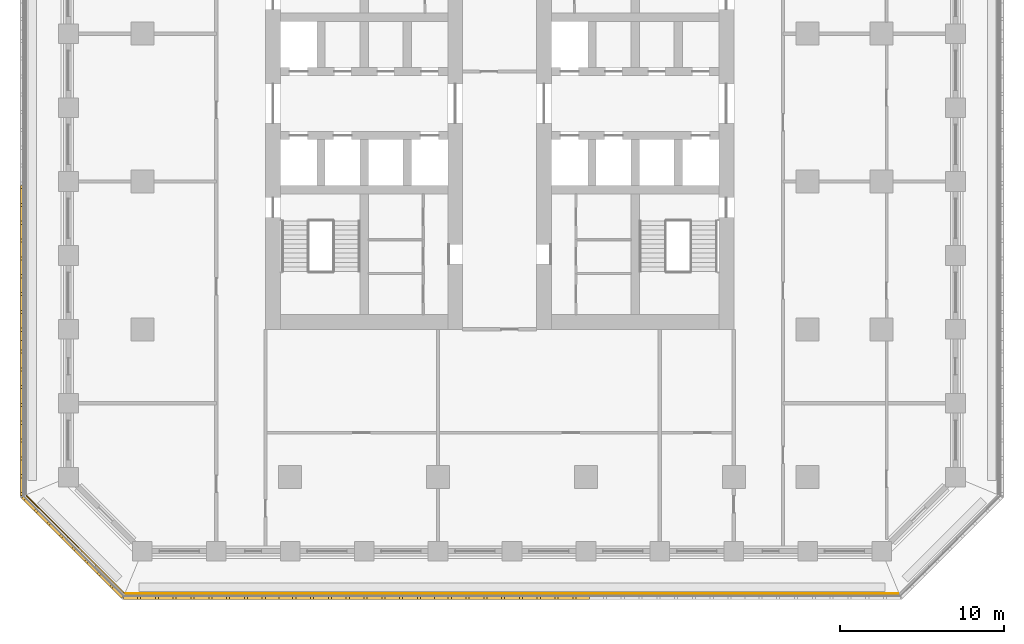
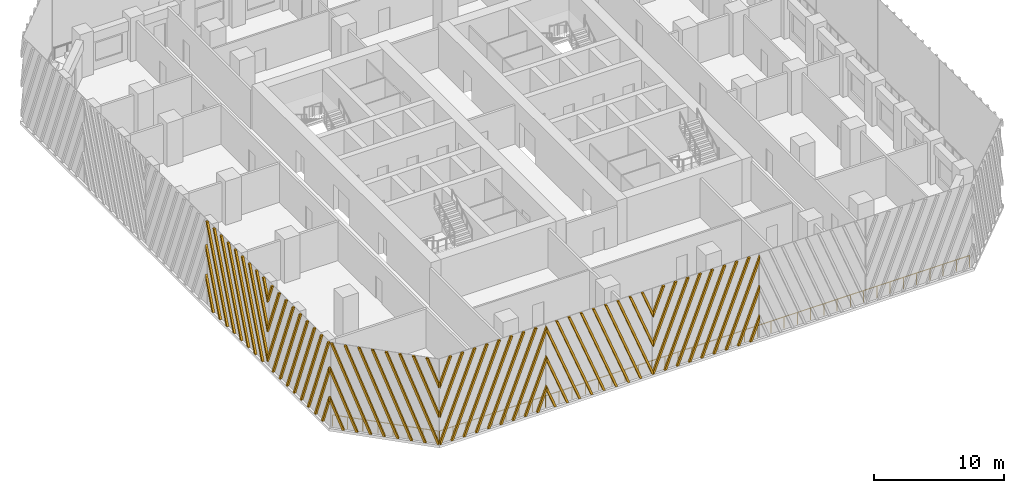
# One storey, part 10 of 19: 6 shading devices, 2 railings.
"""IFC4 building model written with IfcOpenShell, lengths in metres."""

from ifc_helpers import new_model, si_unit, direction, frame, origin, origin_2d, place, context, subcontext, project, spatial, polyline, circle, outline, extrude, source, transform, mapped, material, type_object, element, save


model = new_model("IFC4")

# Units and contexts
model_context = context("Model", 3, precision=1e-05, world=origin(), true_north=direction((0.0, 1.0)))
body_context = subcontext(model_context, "Body", "Model", "MODEL_VIEW")
ifc_project = project(units=[si_unit("LENGTHUNIT", "METRE"), si_unit("AREAUNIT", "SQUARE_METRE"), si_unit("VOLUMEUNIT", "CUBIC_METRE"), si_unit("PLANEANGLEUNIT", "RADIAN"), si_unit("MASSUNIT", "GRAM", prefix="KILO")], contexts=[model_context])

# Site, building, storey
site_placement = place(None, origin())
site = spatial("IfcSite", under=ifc_project, at=site_placement, CompositionType="ELEMENT")
building_placement = place(site_placement, origin())
building = spatial("IfcBuilding", under=site, at=building_placement, Name="Corbel Stack Research Tower", CompositionType="ELEMENT")
storey_placement = place(building_placement, frame((0.0, 0.0, 90.199951171875)))
storey = spatial("IfcBuildingStorey", under=building, at=storey_placement, Name="L20", CompositionType="ELEMENT", Elevation=90.199951171875)

# Railings
ifc_material_1 = material(Name="Powder-coated steel guard", Category="steel")
railing_type = type_object("IfcRailingType", Name="Steel and glass guard 1100", PredefinedType="GUARDRAIL", material=ifc_material_1)
railing_1_placement = place(storey_placement, frame((-19.00537109375, -25.10009765625, 0.0)))
element("IfcRailing", 1, at=railing_1_placement, inside=storey, type_object=railing_type, Name="Loggia guard L20 S", PredefinedType="GUARDRAIL", context=body_context, shape_type="SweptSolid", body=[
    extrude(circle(Radius=0.02392578125, at=origin_2d()), frame((0.0, 0.0, 1.076171875), z_axis=(1.0, 0.0, 0.0), x_axis=(0.0, 1.0, 0.0)), (0.0, 0.0, 1.0), 47.0107421875),
    extrude(circle(Radius=0.02099609375, at=origin_2d()), origin(), (0.0, 0.0, 1.0), 1.052001953125),
    extrude(circle(Radius=0.02099609375, at=origin_2d()), frame((1.17529296875, 0.0, 0.0)), (0.0, 0.0, 1.0), 1.052001953125),
    extrude(circle(Radius=0.02099609375, at=origin_2d()), frame((2.3505859375, 0.0, 0.0)), (0.0, 0.0, 1.0), 1.052001953125),
    extrude(circle(Radius=0.02099609375, at=origin_2d()), frame((3.52587890625, 0.0, 0.0)), (0.0, 0.0, 1.0), 1.052001953125),
    extrude(circle(Radius=0.02099609375, at=origin_2d()), frame((4.701171875, 0.0, 0.0)), (0.0, 0.0, 1.0), 1.052001953125),
    extrude(circle(Radius=0.02099609375, at=origin_2d()), frame((5.87646484375, 0.0, 0.0)), (0.0, 0.0, 1.0), 1.052001953125),
    extrude(circle(Radius=0.02099609375, at=origin_2d()), frame((7.051513671875, 0.0, 0.0)), (0.0, 0.0, 1.0), 1.052001953125),
    extrude(circle(Radius=0.02099609375, at=origin_2d()), frame((8.226806640625, 0.0, 0.0)), (0.0, 0.0, 1.0), 1.052001953125),
    extrude(circle(Radius=0.02099609375, at=origin_2d()), frame((9.402099609375, 0.0, 0.0)), (0.0, 0.0, 1.0), 1.052001953125),
    extrude(circle(Radius=0.02099609375, at=origin_2d()), frame((10.577392578125, 0.0, 0.0)), (0.0, 0.0, 1.0), 1.052001953125),
    extrude(circle(Radius=0.02099609375, at=origin_2d()), frame((11.752685546875, 0.0, 0.0)), (0.0, 0.0, 1.0), 1.052001953125),
    extrude(circle(Radius=0.02099609375, at=origin_2d()), frame((12.927978515625, 0.0, 0.0)), (0.0, 0.0, 1.0), 1.052001953125),
    extrude(circle(Radius=0.02099609375, at=origin_2d()), frame((14.103271484375, 0.0, 0.0)), (0.0, 0.0, 1.0), 1.052001953125),
    extrude(circle(Radius=0.02099609375, at=origin_2d()), frame((15.278564453125, 0.0, 0.0)), (0.0, 0.0, 1.0), 1.052001953125),
    extrude(circle(Radius=0.02099609375, at=origin_2d()), frame((16.453857421875, 0.0, 0.0)), (0.0, 0.0, 1.0), 1.052001953125),
    extrude(circle(Radius=0.02099609375, at=origin_2d()), frame((17.62890625, 0.0, 0.0)), (0.0, 0.0, 1.0), 1.052001953125),
    extrude(circle(Radius=0.02099609375, at=origin_2d()), frame((18.80419921875, 0.0, 0.0)), (0.0, 0.0, 1.0), 1.052001953125),
    extrude(circle(Radius=0.02099609375, at=origin_2d()), frame((19.9794921875, 0.0, 0.0)), (0.0, 0.0, 1.0), 1.052001953125),
    extrude(circle(Radius=0.02099609375, at=origin_2d()), frame((21.15478515625, 0.0, 0.0)), (0.0, 0.0, 1.0), 1.052001953125),
    extrude(circle(Radius=0.02099609375, at=origin_2d()), frame((22.330078125, 0.0, 0.0)), (0.0, 0.0, 1.0), 1.052001953125),
    extrude(circle(Radius=0.02099609375, at=origin_2d()), frame((23.50537109375, 0.0, 0.0)), (0.0, 0.0, 1.0), 1.052001953125),
    extrude(circle(Radius=0.02099609375, at=origin_2d()), frame((24.6806640625, 0.0, 0.0)), (0.0, 0.0, 1.0), 1.052001953125),
    extrude(circle(Radius=0.02099609375, at=origin_2d()), frame((25.85595703125, 0.0, 0.0)), (0.0, 0.0, 1.0), 1.052001953125),
    extrude(circle(Radius=0.02099609375, at=origin_2d()), frame((27.03125, 0.0, 0.0)), (0.0, 0.0, 1.0), 1.052001953125),
    extrude(circle(Radius=0.02099609375, at=origin_2d()), frame((28.20654296875, 0.0, 0.0)), (0.0, 0.0, 1.0), 1.052001953125),
    extrude(circle(Radius=0.02099609375, at=origin_2d()), frame((29.3818359375, 0.0, 0.0)), (0.0, 0.0, 1.0), 1.052001953125),
    extrude(circle(Radius=0.02099609375, at=origin_2d()), frame((30.556884765625, 0.0, 0.0)), (0.0, 0.0, 1.0), 1.052001953125),
    extrude(circle(Radius=0.02099609375, at=origin_2d()), frame((31.732177734375, 0.0, 0.0)), (0.0, 0.0, 1.0), 1.052001953125),
    extrude(circle(Radius=0.02099609375, at=origin_2d()), frame((32.907470703125, 0.0, 0.0)), (0.0, 0.0, 1.0), 1.052001953125),
    extrude(circle(Radius=0.02099609375, at=origin_2d()), frame((34.082763671875, 0.0, 0.0)), (0.0, 0.0, 1.0), 1.052001953125),
    extrude(circle(Radius=0.02099609375, at=origin_2d()), frame((35.258056640625, 0.0, 0.0)), (0.0, 0.0, 1.0), 1.052001953125),
    extrude(circle(Radius=0.02099609375, at=origin_2d()), frame((36.433349609375, 0.0, 0.0)), (0.0, 0.0, 1.0), 1.052001953125),
    extrude(circle(Radius=0.02099609375, at=origin_2d()), frame((37.608642578125, 0.0, 0.0)), (0.0, 0.0, 1.0), 1.052001953125),
    extrude(circle(Radius=0.02099609375, at=origin_2d()), frame((38.783935546875, 0.0, 0.0)), (0.0, 0.0, 1.0), 1.052001953125),
    extrude(circle(Radius=0.02099609375, at=origin_2d()), frame((39.959228515625, 0.0, 0.0)), (0.0, 0.0, 1.0), 1.052001953125),
    extrude(circle(Radius=0.02099609375, at=origin_2d()), frame((41.13427734375, 0.0, 0.0)), (0.0, 0.0, 1.0), 1.052001953125),
    extrude(circle(Radius=0.02099609375, at=origin_2d()), frame((42.3095703125, 0.0, 0.0)), (0.0, 0.0, 1.0), 1.052001953125),
    extrude(circle(Radius=0.02099609375, at=origin_2d()), frame((43.48486328125, 0.0, 0.0)), (0.0, 0.0, 1.0), 1.052001953125),
    extrude(circle(Radius=0.02099609375, at=origin_2d()), frame((44.66015625, 0.0, 0.0)), (0.0, 0.0, 1.0), 1.052001953125),
    extrude(circle(Radius=0.02099609375, at=origin_2d()), frame((45.83544921875, 0.0, 0.0)), (0.0, 0.0, 1.0), 1.052001953125),
    extrude(circle(Radius=0.02099609375, at=origin_2d()), frame((47.0107421875, 0.0, 0.0)), (0.0, 0.0, 1.0), 1.052001953125),
])
railing_2_placement = place(storey_placement, frame((-25.04931640625, -19.127685546875, 0.0)))
element("IfcRailing", 2, at=railing_2_placement, inside=storey, type_object=railing_type, Name="Loggia guard L20 SW", PredefinedType="GUARDRAIL", context=body_context, shape_type="SweptSolid", body=[
    extrude(circle(Radius=0.02392578125, at=origin_2d()), frame((0.0, 0.0, 1.076171875), z_axis=(0.707106781187, -0.707106781187, 0.0), x_axis=(0.707106781187, 0.707106781187, 0.0)), (0.0, 0.0, 1.0), 8.37451171875),
    extrude(circle(Radius=0.02099609375, at=origin_2d()), origin(), (0.0, 0.0, 1.0), 1.052001953125),
    extrude(circle(Radius=0.02099609375, at=origin_2d()), frame((0.845947265625, -0.845947265625, 0.0)), (0.0, 0.0, 1.0), 1.052001953125),
    extrude(circle(Radius=0.02099609375, at=origin_2d()), frame((1.69189453125, -1.69189453125, 0.0)), (0.0, 0.0, 1.0), 1.052001953125),
    extrude(circle(Radius=0.02099609375, at=origin_2d()), frame((2.537841796875, -2.537841796875, 0.0)), (0.0, 0.0, 1.0), 1.052001953125),
    extrude(circle(Radius=0.02099609375, at=origin_2d()), frame((3.3837890625, -3.3837890625, 0.0)), (0.0, 0.0, 1.0), 1.052001953125),
    extrude(circle(Radius=0.02099609375, at=origin_2d()), frame((4.229736328125, -4.229736328125, 0.0)), (0.0, 0.0, 1.0), 1.052001953125),
    extrude(circle(Radius=0.02099609375, at=origin_2d()), frame((5.07568359375, -5.07568359375, 0.0)), (0.0, 0.0, 1.0), 1.052001953125),
    extrude(circle(Radius=0.02099609375, at=origin_2d()), frame((5.921630859375, -5.921630859375, 0.0)), (0.0, 0.0, 1.0), 1.052001953125),
])

# Shading devices
ifc_material_2 = material(Name="Precast terracotta", Category="masonry")
shading_device_type = type_object("IfcShadingDeviceType", Name="Terracotta screen panel", PredefinedType="USERDEFINED", material=ifc_material_2)
shared_shape_1 = source(origin(), body_context, "Body", "SweptSolid", [
    extrude(outline(polyline([(1.030517578125, 7.949951171875), (0.840576171875, 7.949951171875), (0.0, 5.7978515625), (0.0, 5.311279296875), (1.030517578125, 7.949951171875)])), frame((0.0, 0.0, 0.0), z_axis=(0.0, -1.0, 0.0), x_axis=(1.0, 0.0, 0.0)), (0.0, 0.0, 1.0), 0.179931640625),
    extrude(outline(polyline([(2.115234375, 7.949951171875), (1.92529296875, 7.949951171875), (0.0, 3.0205078125), (0.0, 2.533935546875), (2.115234375, 7.949951171875)])), frame((0.0, 0.0, 0.0), z_axis=(0.0, -1.0, 0.0), x_axis=(1.0, 0.0, 0.0)), (0.0, 0.0, 1.0), 0.179931640625),
    extrude(outline(polyline([(0.094970703125, 0.0), (3.199951171875, 7.949951171875), (3.010009765625, 7.949951171875), (0.0, 0.2431640625), (0.0, 0.0), (0.094970703125, 0.0)])), frame((0.0, 0.0, 0.0), z_axis=(0.0, -1.0, 0.0), x_axis=(1.0, 0.0, 0.0)), (0.0, 0.0, 1.0), 0.179931640625),
    extrude(outline(polyline([(1.1796875, 0.0), (4.284423828125, 7.949951171875), (4.094482421875, 7.949951171875), (0.98974609375, 0.0), (1.1796875, 0.0)])), frame((0.0, 0.0, 0.0), z_axis=(0.0, -1.0, 0.0), x_axis=(1.0, 0.0, 0.0)), (0.0, 0.0, 1.0), 0.179931640625),
    extrude(outline(polyline([(2.264404296875, 0.0), (5.369140625, 7.949951171875), (5.17919921875, 7.949951171875), (2.07421875, 0.0), (2.264404296875, 0.0)])), frame((0.0, 0.0, 0.0), z_axis=(0.0, -1.0, 0.0), x_axis=(1.0, 0.0, 0.0)), (0.0, 0.0, 1.0), 0.179931640625),
    extrude(outline(polyline([(3.34912109375, 0.0), (6.453857421875, 7.949951171875), (6.263916015625, 7.949951171875), (3.158935546875, 0.0), (3.34912109375, 0.0)])), frame((0.0, 0.0, 0.0), z_axis=(0.0, -1.0, 0.0), x_axis=(1.0, 0.0, 0.0)), (0.0, 0.0, 1.0), 0.179931640625),
    extrude(outline(polyline([(4.43359375, 0.0), (7.53857421875, 7.949951171875), (7.348388671875, 7.949951171875), (4.24365234375, 0.0), (4.43359375, 0.0)])), frame((0.0, 0.0, 0.0), z_axis=(0.0, -1.0, 0.0), x_axis=(1.0, 0.0, 0.0)), (0.0, 0.0, 1.0), 0.179931640625),
    extrude(outline(polyline([(5.518310546875, 0.0), (8.623291015625, 7.949951171875), (8.43310546875, 7.949951171875), (5.328369140625, 0.0), (5.518310546875, 0.0)])), frame((0.0, 0.0, 0.0), z_axis=(0.0, -1.0, 0.0), x_axis=(1.0, 0.0, 0.0)), (0.0, 0.0, 1.0), 0.179931640625),
    extrude(outline(polyline([(6.60302734375, 0.0), (9.45556640625, 7.30419921875), (9.45556640625, 7.790771484375), (6.4130859375, 0.0), (6.60302734375, 0.0)])), frame((0.0, 0.0, 0.0), z_axis=(0.0, -1.0, 0.0), x_axis=(1.0, 0.0, 0.0)), (0.0, 0.0, 1.0), 0.179931640625),
    extrude(outline(polyline([(7.687744140625, 0.0), (9.45556640625, 4.52685546875), (9.45556640625, 5.013427734375), (7.497802734375, 0.0), (7.687744140625, 0.0)])), frame((0.0, 0.0, 0.0), z_axis=(0.0, -1.0, 0.0), x_axis=(1.0, 0.0, 0.0)), (0.0, 0.0, 1.0), 0.179931640625),
    extrude(outline(polyline([(8.772216796875, 0.0), (9.45556640625, 1.74951171875), (9.45556640625, 2.236083984375), (8.582275390625, 0.0), (8.772216796875, 0.0)])), frame((0.0, 0.0, 0.0), z_axis=(0.0, -1.0, 0.0), x_axis=(1.0, 0.0, 0.0)), (0.0, 0.0, 1.0), 0.179931640625),
])
for number, where, z_axis, x_axis, name in (
    (3, (-19.13916015625, -25.25, 0.0), (0.0, 0.0, 1.0), (1.0, 0.0, 0.0), "Terracotta screen L20 S1"),
    (4, (-0.227783203125, -25.25, 0.0), (0.0, 0.0, 1.0), (1.0, 0.0, 0.0), "Terracotta screen L20 S3"),
):
    element("IfcShadingDevice", number, at=place(storey_placement, frame(where, z_axis=z_axis, x_axis=x_axis)), inside=storey, type_object=shading_device_type, Name=name, ObjectType="SCREEN", PredefinedType="USERDEFINED", context=body_context, shape_type="MappedRepresentation", body=[
        mapped(shared_shape_1, transform((0.0, 0.0, 0.0))),
    ])
shared_shape_2 = source(origin(), body_context, "Body", "SweptSolid", [
    extrude(outline(polyline([(0.873291015625, 0.0), (0.0, 2.236083984375), (0.0, 1.74951171875), (0.683349609375, 0.0), (0.873291015625, 0.0)])), frame((0.0, 0.0, 0.0), z_axis=(0.0, -1.0, 0.0), x_axis=(1.0, 0.0, 0.0)), (0.0, 0.0, 1.0), 0.179931640625),
    extrude(outline(polyline([(1.9580078125, 0.0), (0.0, 5.013427734375), (0.0, 4.52685546875), (1.76806640625, 0.0), (1.9580078125, 0.0)])), frame((0.0, 0.0, 0.0), z_axis=(0.0, -1.0, 0.0), x_axis=(1.0, 0.0, 0.0)), (0.0, 0.0, 1.0), 0.179931640625),
    extrude(outline(polyline([(3.04248046875, 0.0), (0.0, 7.790771484375), (0.0, 7.30419921875), (2.8525390625, 0.0), (3.04248046875, 0.0)])), frame((0.0, 0.0, 0.0), z_axis=(0.0, -1.0, 0.0), x_axis=(1.0, 0.0, 0.0)), (0.0, 0.0, 1.0), 0.179931640625),
    extrude(outline(polyline([(4.127197265625, 0.0), (1.0224609375, 7.949951171875), (0.83251953125, 7.949951171875), (3.937255859375, 0.0), (4.127197265625, 0.0)])), frame((0.0, 0.0, 0.0), z_axis=(0.0, -1.0, 0.0), x_axis=(1.0, 0.0, 0.0)), (0.0, 0.0, 1.0), 0.179931640625),
    extrude(outline(polyline([(5.2119140625, 0.0), (2.107177734375, 7.949951171875), (1.9169921875, 7.949951171875), (5.02197265625, 0.0), (5.2119140625, 0.0)])), frame((0.0, 0.0, 0.0), z_axis=(0.0, -1.0, 0.0), x_axis=(1.0, 0.0, 0.0)), (0.0, 0.0, 1.0), 0.179931640625),
    extrude(outline(polyline([(6.296630859375, 0.0), (3.19189453125, 7.949951171875), (3.001708984375, 7.949951171875), (6.106689453125, 0.0), (6.296630859375, 0.0)])), frame((0.0, 0.0, 0.0), z_axis=(0.0, -1.0, 0.0), x_axis=(1.0, 0.0, 0.0)), (0.0, 0.0, 1.0), 0.179931640625),
    extrude(outline(polyline([(7.38134765625, 0.0), (4.276611328125, 7.949951171875), (4.08642578125, 7.949951171875), (7.19140625, 0.0), (7.38134765625, 0.0)])), frame((0.0, 0.0, 0.0), z_axis=(0.0, -1.0, 0.0), x_axis=(1.0, 0.0, 0.0)), (0.0, 0.0, 1.0), 0.179931640625),
    extrude(outline(polyline([(8.466064453125, 0.0), (5.361083984375, 7.949951171875), (5.171142578125, 7.949951171875), (8.27587890625, 0.0), (8.466064453125, 0.0)])), frame((0.0, 0.0, 0.0), z_axis=(0.0, -1.0, 0.0), x_axis=(1.0, 0.0, 0.0)), (0.0, 0.0, 1.0), 0.179931640625),
    extrude(outline(polyline([(9.45556640625, 0.0), (9.45556640625, 0.2431640625), (6.44580078125, 7.949951171875), (6.255859375, 7.949951171875), (9.360595703125, 0.0), (9.45556640625, 0.0)])), frame((0.0, 0.0, 0.0), z_axis=(0.0, -1.0, 0.0), x_axis=(1.0, 0.0, 0.0)), (0.0, 0.0, 1.0), 0.179931640625),
    extrude(outline(polyline([(7.530517578125, 7.949951171875), (7.34033203125, 7.949951171875), (9.45556640625, 2.533935546875), (9.45556640625, 3.0205078125), (7.530517578125, 7.949951171875)])), frame((0.0, 0.0, 0.0), z_axis=(0.0, -1.0, 0.0), x_axis=(1.0, 0.0, 0.0)), (0.0, 0.0, 1.0), 0.179931640625),
    extrude(outline(polyline([(8.614990234375, 7.949951171875), (8.425048828125, 7.949951171875), (9.45556640625, 5.311279296875), (9.45556640625, 5.7978515625), (8.614990234375, 7.949951171875)])), frame((0.0, 0.0, 0.0), z_axis=(0.0, -1.0, 0.0), x_axis=(1.0, 0.0, 0.0)), (0.0, 0.0, 1.0), 0.179931640625),
])
shading_device_1_placement = place(storey_placement, frame((-9.68359375, -25.25, 0.0), z_axis=(0.0, 0.0, 1.0), x_axis=(1.0, 0.0, 0.0)))
element("IfcShadingDevice", 5, at=shading_device_1_placement, inside=storey, type_object=shading_device_type, Name="Terracotta screen L20 S2", ObjectType="SCREEN", PredefinedType="USERDEFINED", context=body_context, shape_type="MappedRepresentation", body=[
    mapped(shared_shape_2, transform((0.0, 0.0, 0.0))),
])
shared_shape_3 = source(origin(), body_context, "Body", "SweptSolid", [
    extrude(outline(polyline([(0.759521484375, 7.949951171875), (0.5693359375, 7.949951171875), (0.0, 6.4921875), (0.0, 6.005615234375), (0.759521484375, 7.949951171875)])), frame((0.0, 0.0, 0.0), z_axis=(0.0, -1.0, 0.0), x_axis=(1.0, 0.0, 0.0)), (0.0, 0.0, 1.0), 0.179931640625),
    extrude(outline(polyline([(1.843994140625, 7.949951171875), (1.654052734375, 7.949951171875), (0.0, 3.71484375), (0.0, 3.228515625), (1.843994140625, 7.949951171875)])), frame((0.0, 0.0, 0.0), z_axis=(0.0, -1.0, 0.0), x_axis=(1.0, 0.0, 0.0)), (0.0, 0.0, 1.0), 0.179931640625),
    extrude(outline(polyline([(2.9287109375, 7.949951171875), (2.73876953125, 7.949951171875), (0.0, 0.9375), (0.0, 0.451171875), (2.9287109375, 7.949951171875)])), frame((0.0, 0.0, 0.0), z_axis=(0.0, -1.0, 0.0), x_axis=(1.0, 0.0, 0.0)), (0.0, 0.0, 1.0), 0.179931640625),
    extrude(outline(polyline([(0.908447265625, 0.0), (4.013427734375, 7.949951171875), (3.823486328125, 7.949951171875), (0.718505859375, 0.0), (0.908447265625, 0.0)])), frame((0.0, 0.0, 0.0), z_axis=(0.0, -1.0, 0.0), x_axis=(1.0, 0.0, 0.0)), (0.0, 0.0, 1.0), 0.179931640625),
    extrude(outline(polyline([(1.9931640625, 0.0), (5.097900390625, 7.949951171875), (4.907958984375, 7.949951171875), (1.80322265625, 0.0), (1.9931640625, 0.0)])), frame((0.0, 0.0, 0.0), z_axis=(0.0, -1.0, 0.0), x_axis=(1.0, 0.0, 0.0)), (0.0, 0.0, 1.0), 0.179931640625),
    extrude(outline(polyline([(3.077880859375, 0.0), (6.1826171875, 7.949951171875), (5.99267578125, 7.949951171875), (2.8876953125, 0.0), (3.077880859375, 0.0)])), frame((0.0, 0.0, 0.0), z_axis=(0.0, -1.0, 0.0), x_axis=(1.0, 0.0, 0.0)), (0.0, 0.0, 1.0), 0.179931640625),
    extrude(outline(polyline([(4.16259765625, 0.0), (7.267333984375, 7.949951171875), (7.077392578125, 7.949951171875), (3.972412109375, 0.0), (4.16259765625, 0.0)])), frame((0.0, 0.0, 0.0), z_axis=(0.0, -1.0, 0.0), x_axis=(1.0, 0.0, 0.0)), (0.0, 0.0, 1.0), 0.179931640625),
    extrude(outline(polyline([(5.247314453125, 0.0), (8.35205078125, 7.949951171875), (8.162109375, 7.949951171875), (5.05712890625, 0.0), (5.247314453125, 0.0)])), frame((0.0, 0.0, 0.0), z_axis=(0.0, -1.0, 0.0), x_axis=(1.0, 0.0, 0.0)), (0.0, 0.0, 1.0), 0.179931640625),
    extrude(outline(polyline([(6.331787109375, 0.0), (9.436767578125, 7.949951171875), (9.24658203125, 7.949951171875), (6.141845703125, 0.0), (6.331787109375, 0.0)])), frame((0.0, 0.0, 0.0), z_axis=(0.0, -1.0, 0.0), x_axis=(1.0, 0.0, 0.0)), (0.0, 0.0, 1.0), 0.179931640625),
    extrude(outline(polyline([(7.41650390625, 0.0), (9.45556640625, 5.22119140625), (9.45556640625, 5.707763671875), (7.2265625, 0.0), (7.41650390625, 0.0)])), frame((0.0, 0.0, 0.0), z_axis=(0.0, -1.0, 0.0), x_axis=(1.0, 0.0, 0.0)), (0.0, 0.0, 1.0), 0.179931640625),
    extrude(outline(polyline([(8.501220703125, 0.0), (9.45556640625, 2.44384765625), (9.45556640625, 2.930419921875), (8.311279296875, 0.0), (8.501220703125, 0.0)])), frame((0.0, 0.0, 0.0), z_axis=(0.0, -1.0, 0.0), x_axis=(1.0, 0.0, 0.0)), (0.0, 0.0, 1.0), 0.179931640625),
])
shading_device_2_placement = place(storey_placement, frame((-25.25, -9.68359375, 0.0), z_axis=(0.0, 0.0, 1.0), x_axis=(0.0, -1.0, 0.0)))
element("IfcShadingDevice", 6, at=shading_device_2_placement, inside=storey, type_object=shading_device_type, Name="Terracotta screen L20 W5", ObjectType="SCREEN", PredefinedType="USERDEFINED", context=body_context, shape_type="MappedRepresentation", body=[
    mapped(shared_shape_3, transform((0.0, 0.0, 0.0))),
])
shared_shape_4 = source(origin(), body_context, "Body", "SweptSolid", [
    extrude(outline(polyline([(1.14453125, 0.0), (0.0, 2.930419921875), (0.0, 2.44384765625), (0.95458984375, 0.0), (1.14453125, 0.0)])), frame((0.0, 0.0, 0.0), z_axis=(0.0, -1.0, 0.0), x_axis=(1.0, 0.0, 0.0)), (0.0, 0.0, 1.0), 0.179931640625),
    extrude(outline(polyline([(2.22900390625, 0.0), (0.0, 5.707763671875), (0.0, 5.22119140625), (2.0390625, 0.0), (2.22900390625, 0.0)])), frame((0.0, 0.0, 0.0), z_axis=(0.0, -1.0, 0.0), x_axis=(1.0, 0.0, 0.0)), (0.0, 0.0, 1.0), 0.179931640625),
    extrude(outline(polyline([(3.313720703125, 0.0), (0.208984375, 7.949951171875), (0.01904296875, 7.949951171875), (3.123779296875, 0.0), (3.313720703125, 0.0)])), frame((0.0, 0.0, 0.0), z_axis=(0.0, -1.0, 0.0), x_axis=(1.0, 0.0, 0.0)), (0.0, 0.0, 1.0), 0.179931640625),
    extrude(outline(polyline([(4.3984375, 0.0), (1.293701171875, 7.949951171875), (1.103515625, 7.949951171875), (4.20849609375, 0.0), (4.3984375, 0.0)])), frame((0.0, 0.0, 0.0), z_axis=(0.0, -1.0, 0.0), x_axis=(1.0, 0.0, 0.0)), (0.0, 0.0, 1.0), 0.179931640625),
    extrude(outline(polyline([(5.483154296875, 0.0), (2.37841796875, 7.949951171875), (2.188232421875, 7.949951171875), (5.293212890625, 0.0), (5.483154296875, 0.0)])), frame((0.0, 0.0, 0.0), z_axis=(0.0, -1.0, 0.0), x_axis=(1.0, 0.0, 0.0)), (0.0, 0.0, 1.0), 0.179931640625),
    extrude(outline(polyline([(6.56787109375, 0.0), (3.462890625, 7.949951171875), (3.27294921875, 7.949951171875), (6.377685546875, 0.0), (6.56787109375, 0.0)])), frame((0.0, 0.0, 0.0), z_axis=(0.0, -1.0, 0.0), x_axis=(1.0, 0.0, 0.0)), (0.0, 0.0, 1.0), 0.179931640625),
    extrude(outline(polyline([(7.652587890625, 0.0), (4.547607421875, 7.949951171875), (4.357666015625, 7.949951171875), (7.46240234375, 0.0), (7.652587890625, 0.0)])), frame((0.0, 0.0, 0.0), z_axis=(0.0, -1.0, 0.0), x_axis=(1.0, 0.0, 0.0)), (0.0, 0.0, 1.0), 0.179931640625),
    extrude(outline(polyline([(8.737060546875, 0.0), (5.63232421875, 7.949951171875), (5.4423828125, 7.949951171875), (8.547119140625, 0.0), (8.737060546875, 0.0)])), frame((0.0, 0.0, 0.0), z_axis=(0.0, -1.0, 0.0), x_axis=(1.0, 0.0, 0.0)), (0.0, 0.0, 1.0), 0.179931640625),
    extrude(outline(polyline([(6.716796875, 7.949951171875), (6.52685546875, 7.949951171875), (9.45556640625, 0.451171875), (9.45556640625, 0.9375), (6.716796875, 7.949951171875)])), frame((0.0, 0.0, 0.0), z_axis=(0.0, -1.0, 0.0), x_axis=(1.0, 0.0, 0.0)), (0.0, 0.0, 1.0), 0.179931640625),
    extrude(outline(polyline([(7.801513671875, 7.949951171875), (7.611572265625, 7.949951171875), (9.45556640625, 3.228515625), (9.45556640625, 3.71484375), (7.801513671875, 7.949951171875)])), frame((0.0, 0.0, 0.0), z_axis=(0.0, -1.0, 0.0), x_axis=(1.0, 0.0, 0.0)), (0.0, 0.0, 1.0), 0.179931640625),
    extrude(outline(polyline([(8.88623046875, 7.949951171875), (8.6962890625, 7.949951171875), (9.45556640625, 6.005615234375), (9.45556640625, 6.4921875), (8.88623046875, 7.949951171875)])), frame((0.0, 0.0, 0.0), z_axis=(0.0, -1.0, 0.0), x_axis=(1.0, 0.0, 0.0)), (0.0, 0.0, 1.0), 0.179931640625),
])
shading_device_3_placement = place(storey_placement, frame((-25.25, -0.227783203125, 0.0), z_axis=(0.0, 0.0, 1.0), x_axis=(0.0, -1.0, 0.0)))
element("IfcShadingDevice", 7, at=shading_device_3_placement, inside=storey, type_object=shading_device_type, Name="Terracotta screen L20 W4", ObjectType="SCREEN", PredefinedType="USERDEFINED", context=body_context, shape_type="MappedRepresentation", body=[
    mapped(shared_shape_4, transform((0.0, 0.0, 0.0))),
])
shared_shape_5 = source(origin(), body_context, "Body", "SweptSolid", [
    extrude(outline(polyline([(1.14453125, 0.0), (0.0, 2.930419921875), (0.0, 2.44384765625), (0.95458984375, 0.0), (1.14453125, 0.0)])), frame((0.0, 0.0, 0.0), z_axis=(0.0, -1.0, 0.0), x_axis=(1.0, 0.0, 0.0)), (0.0, 0.0, 1.0), 0.179931640625),
    extrude(outline(polyline([(2.22900390625, 0.0), (0.0, 5.707763671875), (0.0, 5.22119140625), (2.0390625, 0.0), (2.22900390625, 0.0)])), frame((0.0, 0.0, 0.0), z_axis=(0.0, -1.0, 0.0), x_axis=(1.0, 0.0, 0.0)), (0.0, 0.0, 1.0), 0.179931640625),
    extrude(outline(polyline([(3.313720703125, 0.0), (0.208984375, 7.949951171875), (0.01904296875, 7.949951171875), (3.123779296875, 0.0), (3.313720703125, 0.0)])), frame((0.0, 0.0, 0.0), z_axis=(0.0, -1.0, 0.0), x_axis=(1.0, 0.0, 0.0)), (0.0, 0.0, 1.0), 0.179931640625),
    extrude(outline(polyline([(4.3984375, 0.0), (1.293701171875, 7.949951171875), (1.103515625, 7.949951171875), (4.20849609375, 0.0), (4.3984375, 0.0)])), frame((0.0, 0.0, 0.0), z_axis=(0.0, -1.0, 0.0), x_axis=(1.0, 0.0, 0.0)), (0.0, 0.0, 1.0), 0.179931640625),
    extrude(outline(polyline([(5.483154296875, 0.0), (2.37841796875, 7.949951171875), (2.188232421875, 7.949951171875), (5.293212890625, 0.0), (5.483154296875, 0.0)])), frame((0.0, 0.0, 0.0), z_axis=(0.0, -1.0, 0.0), x_axis=(1.0, 0.0, 0.0)), (0.0, 0.0, 1.0), 0.179931640625),
    extrude(outline(polyline([(6.56787109375, 0.0), (3.462890625, 7.949951171875), (3.27294921875, 7.949951171875), (6.377685546875, 0.0), (6.56787109375, 0.0)])), frame((0.0, 0.0, 0.0), z_axis=(0.0, -1.0, 0.0), x_axis=(1.0, 0.0, 0.0)), (0.0, 0.0, 1.0), 0.179931640625),
    extrude(outline(polyline([(7.652587890625, 0.0), (4.547607421875, 7.949951171875), (4.357666015625, 7.949951171875), (7.46240234375, 0.0), (7.652587890625, 0.0)])), frame((0.0, 0.0, 0.0), z_axis=(0.0, -1.0, 0.0), x_axis=(1.0, 0.0, 0.0)), (0.0, 0.0, 1.0), 0.179931640625),
    extrude(outline(polyline([(8.64208984375, 0.0), (8.64208984375, 0.2431640625), (5.63232421875, 7.949951171875), (5.4423828125, 7.949951171875), (8.547119140625, 0.0), (8.64208984375, 0.0)])), frame((0.0, 0.0, 0.0), z_axis=(0.0, -1.0, 0.0), x_axis=(1.0, 0.0, 0.0)), (0.0, 0.0, 1.0), 0.179931640625),
    extrude(outline(polyline([(6.716796875, 7.949951171875), (6.52685546875, 7.949951171875), (8.64208984375, 2.533935546875), (8.64208984375, 3.0205078125), (6.716796875, 7.949951171875)])), frame((0.0, 0.0, 0.0), z_axis=(0.0, -1.0, 0.0), x_axis=(1.0, 0.0, 0.0)), (0.0, 0.0, 1.0), 0.179931640625),
    extrude(outline(polyline([(7.801513671875, 7.949951171875), (7.611572265625, 7.949951171875), (8.64208984375, 5.311279296875), (8.64208984375, 5.7978515625), (7.801513671875, 7.949951171875)])), frame((0.0, 0.0, 0.0), z_axis=(0.0, -1.0, 0.0), x_axis=(1.0, 0.0, 0.0)), (0.0, 0.0, 1.0), 0.179931640625),
])
shading_device_4_placement = place(storey_placement, frame((-25.25, -19.13916015625, 0.0), z_axis=(0.0, 0.0, 1.0), x_axis=(0.707106781187, -0.707106781187, 0.0)))
element("IfcShadingDevice", 8, at=shading_device_4_placement, inside=storey, type_object=shading_device_type, Name="Terracotta screen L20 SW1", ObjectType="SCREEN", PredefinedType="USERDEFINED", context=body_context, shape_type="MappedRepresentation", body=[
    mapped(shared_shape_5, transform((0.0, 0.0, 0.0))),
])

save(model, "model.ifc")
